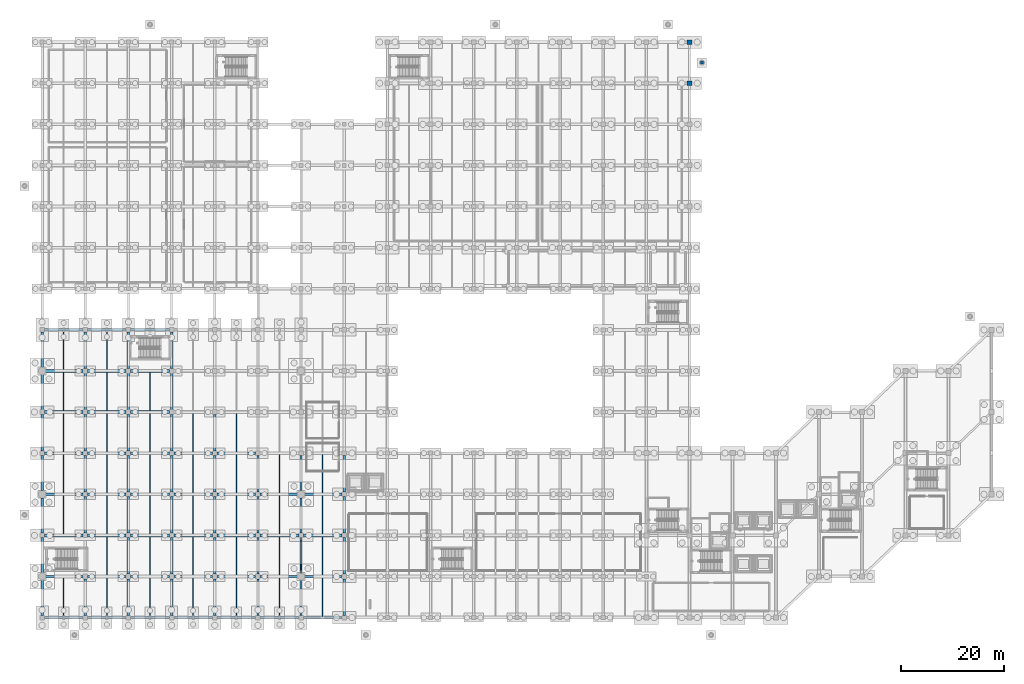
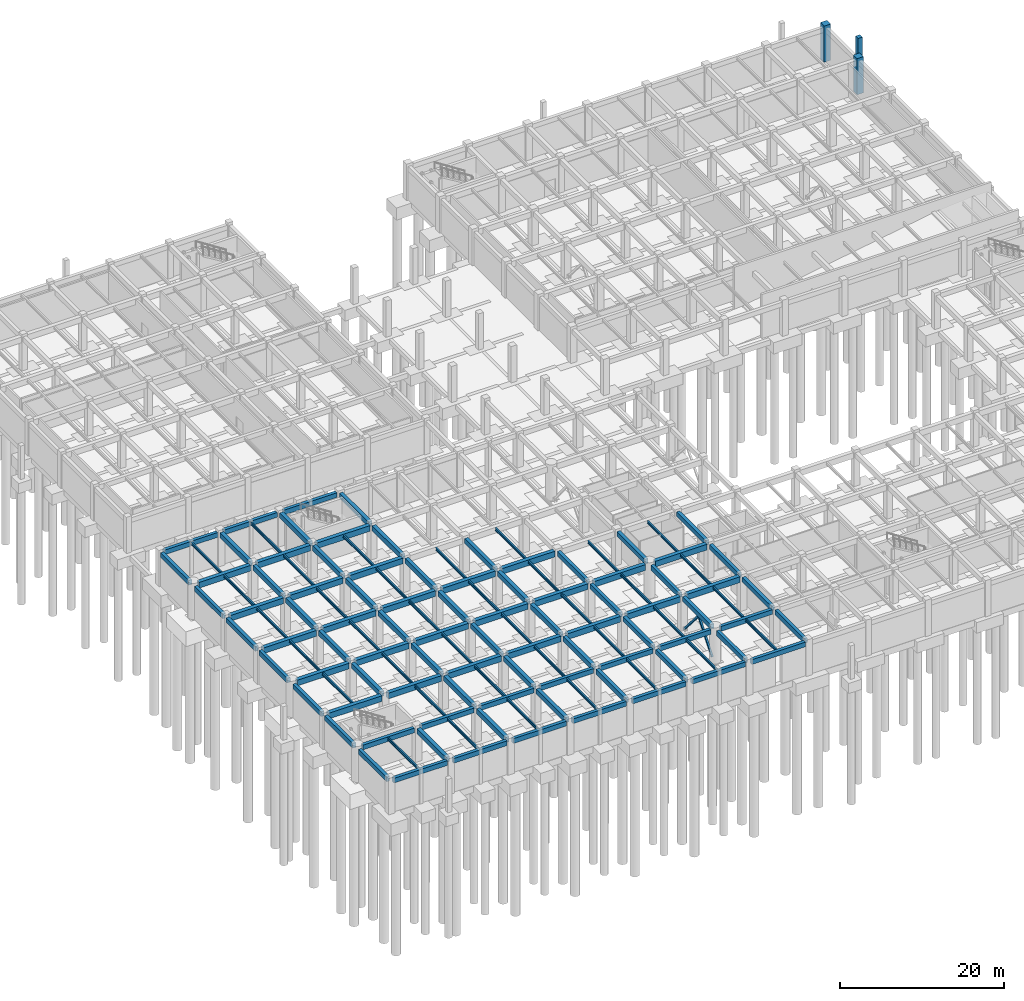
# One storey, part 30 of 56: 123 beams, 3 columns, 2 members.
"""IFC4 building model written with IfcOpenShell, lengths in metres."""

from ifc_helpers import new_model, si_unit, direction, frame, origin, origin_2d, place, context, subcontext, project, spatial, rectangle, hollow_rectangle, i_section, extrude, material, material_profile, profile_set, type_object, element, save


model = new_model("IFC4")

# Units and contexts
model_context = context("Model", 3, precision=1e-05, world=origin(), true_north=direction((0.0, 1.0)))
body_context = subcontext(model_context, "Body", "Model", "MODEL_VIEW")
ifc_project = project(units=[si_unit("LENGTHUNIT", "METRE"), si_unit("AREAUNIT", "SQUARE_METRE"), si_unit("VOLUMEUNIT", "CUBIC_METRE"), si_unit("PLANEANGLEUNIT", "RADIAN"), si_unit("MASSUNIT", "GRAM", prefix="KILO")], contexts=[model_context])

# Site, building, storey
site_placement = place(None, origin())
site = spatial("IfcSite", under=ifc_project, at=site_placement, CompositionType="ELEMENT")
building_placement = place(site_placement, origin())
building = spatial("IfcBuilding", under=site, at=building_placement, Name="Naruveol Harbour Congress Hotel", CompositionType="ELEMENT")
storey_placement = place(building_placement, frame((0.0, 0.0, -5.39990234375)))
storey = spatial("IfcBuildingStorey", under=building, at=storey_placement, Name="B01", CompositionType="ELEMENT", Elevation=-5.39990234375)

# Columns
ifc_material_1 = material(Name="Concrete C50/60", Category="concrete")
ifc_material_profile_1 = material_profile(ifc_material_1, rectangle(XDim=0.89990234375, YDim=0.89990234375, at=origin_2d()), Name="RC-900x900")
ifc_profile_set_1 = profile_set([ifc_material_profile_1], Name="Concrete C50/60")
column_type_1 = type_object("IfcColumnType", Name="RC PRIMARY COLUMN 900X900", PredefinedType="COLUMN", material=ifc_profile_set_1)
for number, where, z_axis, x_axis, name in (
    (1, (126.0, 104.0, 0.0), (0.0, 0.0, 1.0), (1.0, 0.0, 0.0), "Column C-900 B01 (126.0,104.0)"),
    (2, (126.0, 112.0, 0.0), (0.0, 0.0, 1.0), (1.0, 0.0, 0.0), "Column C-900 B01 (126.0,112.0)"),
):
    element("IfcColumn", number, at=place(storey_placement, frame(where, z_axis=z_axis, x_axis=x_axis)), inside=storey, type_object=column_type_1, Name=name, PredefinedType="COLUMN", context=body_context, shape_type="SweptSolid", body=[
        extrude(rectangle(XDim=0.89990234375, YDim=0.89990234375, at=origin_2d()), origin(), (0.0, 0.0, 1.0), 5.39990234375),
    ])
ifc_material_2 = material(Name="Concrete C40/50", Category="concrete")
ifc_material_profile_2 = material_profile(ifc_material_2, rectangle(XDim=0.60009765625, YDim=0.60009765625, at=origin_2d()), Name="RC-600x600")
ifc_profile_set_2 = profile_set([ifc_material_profile_2], Name="Concrete C40/50")
column_type_2 = type_object("IfcColumnType", Name="RC UPPER COLUMN 600X600", PredefinedType="COLUMN", material=ifc_profile_set_2)
column_placement = place(storey_placement, frame((128.39990234375, 108.0, 0.0), z_axis=(0.0, 0.0, 1.0), x_axis=(1.0, 0.0, 0.0)))
element("IfcColumn", 3, at=column_placement, inside=storey, type_object=column_type_2, Name="Column C-600 B01 (128.4,108.0)", PredefinedType="COLUMN", context=body_context, shape_type="SweptSolid", body=[
    extrude(rectangle(XDim=0.60009765625, YDim=0.60009765625, at=origin_2d()), origin(), (0.0, 0.0, 1.0), 5.0),
])

# Beams
ifc_material_3 = material(Name="Concrete C40/50", Category="concrete")
ifc_material_profile_3 = material_profile(ifc_material_3, rectangle(XDim=0.5, YDim=0.75, at=origin_2d()), Name="RCB-500x750")
ifc_profile_set_3 = profile_set([ifc_material_profile_3], Name="Concrete C40/50")
beam_type_1 = type_object("IfcBeamType", Name="RC FLOOR GIRDER 500X750", PredefinedType="BEAM", material=ifc_profile_set_3)
for number, where, z_axis, x_axis, name in (
    (4, (8.39990234375, 0.446044921875, 4.625), (0.0, 1.0, 0.0), (-1.0, 0.0, 0.0), "Transverse girder L00 CB3"),
    (5, (8.39990234375, 16.446044921875, 4.6748046875), (0.0, 1.0, 0.0), (-1.0, 0.0, 0.0), "Transverse girder L00 CB3"),
    (6, (8.39990234375, 24.446044921875, 4.6748046875), (0.0, 1.0, 0.0), (-1.0, 0.0, 0.0), "Transverse girder L00 CB3"),
    (7, (8.39990234375, 32.446044921875, 4.6748046875), (0.0, 1.0, 0.0), (-1.0, 0.0, 0.0), "Transverse girder L00 CB3"),
    (8, (8.39990234375, 40.446044921875, 4.6748046875), (0.0, 1.0, 0.0), (-1.0, 0.0, 0.0), "Transverse girder L00 CB3"),
    (9, (8.39990234375, 48.446044921875, 4.6748046875), (0.0, 1.0, 0.0), (-1.0, 0.0, 0.0), "Transverse girder L00 CB3"),
    (10, (16.800048828125, 0.446044921875, 4.625), (0.0, 1.0, 0.0), (-1.0, 0.0, 0.0), "Transverse girder L00 CB3"),
    (11, (16.800048828125, 8.446044921875, 4.6748046875), (0.0, 1.0, 0.0), (-1.0, 0.0, 0.0), "Transverse girder L00 CB3"),
    (12, (16.800048828125, 16.446044921875, 4.6748046875), (0.0, 1.0, 0.0), (-1.0, 0.0, 0.0), "Transverse girder L00 CB3"),
    (13, (16.800048828125, 24.446044921875, 4.6748046875), (0.0, 1.0, 0.0), (-1.0, 0.0, 0.0), "Transverse girder L00 CB3"),
    (14, (16.800048828125, 32.446044921875, 4.6748046875), (0.0, 1.0, 0.0), (-1.0, 0.0, 0.0), "Transverse girder L00 CB3"),
    (15, (16.800048828125, 40.446044921875, 4.6748046875), (0.0, 1.0, 0.0), (-1.0, 0.0, 0.0), "Transverse girder L00 CB3"),
    (16, (16.800048828125, 48.446044921875, 4.6748046875), (0.0, 1.0, 0.0), (-1.0, 0.0, 0.0), "Transverse girder L00 CB3"),
    (17, (25.199951171875, 0.446044921875, 4.625), (0.0, 1.0, 0.0), (-1.0, 0.0, 0.0), "Transverse girder L00 CB3"),
    (18, (25.199951171875, 8.446044921875, 4.6748046875), (0.0, 1.0, 0.0), (-1.0, 0.0, 0.0), "Transverse girder L00 CB3"),
    (19, (25.199951171875, 16.446044921875, 4.6748046875), (0.0, 1.0, 0.0), (-1.0, 0.0, 0.0), "Transverse girder L00 CB3"),
    (20, (25.199951171875, 24.446044921875, 4.6748046875), (0.0, 1.0, 0.0), (-1.0, 0.0, 0.0), "Transverse girder L00 CB3"),
    (21, (25.199951171875, 32.446044921875, 4.6748046875), (0.0, 1.0, 0.0), (-1.0, 0.0, 0.0), "Transverse girder L00 CB3"),
    (22, (25.199951171875, 40.446044921875, 4.6748046875), (0.0, 1.0, 0.0), (-1.0, 0.0, 0.0), "Transverse girder L00 CB3"),
    (23, (25.199951171875, 48.446044921875, 4.6748046875), (0.0, 1.0, 0.0), (-1.0, 0.0, 0.0), "Transverse girder L00 CB3"),
    (24, (33.60009765625, 0.446044921875, 4.625), (0.0, 1.0, 0.0), (-1.0, 0.0, 0.0), "Transverse girder L00 CB3"),
    (25, (33.60009765625, 8.446044921875, 4.6748046875), (0.0, 1.0, 0.0), (-1.0, 0.0, 0.0), "Transverse girder L00 CB3"),
    (26, (33.60009765625, 16.446044921875, 4.6748046875), (0.0, 1.0, 0.0), (-1.0, 0.0, 0.0), "Transverse girder L00 CB3"),
    (27, (33.60009765625, 24.446044921875, 4.6748046875), (0.0, 1.0, 0.0), (-1.0, 0.0, 0.0), "Transverse girder L00 CB3"),
    (28, (33.60009765625, 32.446044921875, 4.6748046875), (0.0, 1.0, 0.0), (-1.0, 0.0, 0.0), "Transverse girder L00 CB3"),
):
    element("IfcBeam", number, at=place(storey_placement, frame(where, z_axis=z_axis, x_axis=x_axis)), inside=storey, type_object=beam_type_1, Name=name, PredefinedType="BEAM", context=body_context, shape_type="SweptSolid", body=[
        extrude(rectangle(XDim=0.5, YDim=0.75, at=origin_2d()), origin(), (0.0, 0.0, 1.0), 7.10791015625),
    ])
ifc_material_4 = material(Name="Concrete C40/50", Category="concrete")
ifc_material_profile_4 = material_profile(ifc_material_4, rectangle(XDim=0.550048828125, YDim=0.85009765625, at=origin_2d()), Name="RCB-550x850")
ifc_profile_set_4 = profile_set([ifc_material_profile_4], Name="Concrete C40/50")
beam_type_2 = type_object("IfcBeamType", Name="RC PRIMARY GIRDER 550X850", PredefinedType="BEAM", material=ifc_profile_set_4)
for number, where, z_axis, x_axis, name in (
    (29, (0.446044921875, 16.0, 4.574951171875), (1.0, 0.0, 0.0), (0.0, 1.0, 0.0), "Floor girder L00 CB2"),
    (30, (8.845947265625, 16.0, 4.625), (1.0, 0.0, 0.0), (0.0, 1.0, 0.0), "Floor girder L00 CB2"),
):
    element("IfcBeam", number, at=place(storey_placement, frame(where, z_axis=z_axis, x_axis=x_axis)), inside=storey, type_object=beam_type_2, Name=name, PredefinedType="BEAM", context=body_context, shape_type="SweptSolid", body=[
        extrude(rectangle(XDim=0.550048828125, YDim=0.85009765625, at=origin_2d()), origin(), (0.0, 0.0, 1.0), 7.508056640625),
    ])
beam_1_placement = place(storey_placement, frame((17.24609375, 16.0, 4.625), z_axis=(1.0, 0.0, 0.0), x_axis=(0.0, 1.0, 0.0)))
element("IfcBeam", 31, at=beam_1_placement, inside=storey, type_object=beam_type_2, Name="Floor girder L00 CB2", PredefinedType="BEAM", context=body_context, shape_type="SweptSolid", body=[
    extrude(rectangle(XDim=0.550048828125, YDim=0.85009765625, at=origin_2d()), origin(), (0.0, 0.0, 1.0), 7.5078125),
])
for number, where, z_axis, x_axis, name in (
    (32, (25.64599609375, 16.0, 4.625), (1.0, 0.0, 0.0), (0.0, 1.0, 0.0), "Floor girder L00 CB2"),
    (33, (34.0458984375, 16.0, 4.625), (1.0, 0.0, 0.0), (0.0, 1.0, 0.0), "Floor girder L00 CB2"),
    (34, (42.446044921875, 16.0, 4.625), (1.0, 0.0, 0.0), (0.0, 1.0, 0.0), "Floor girder L00 CB2"),
    (35, (50.845947265625, 16.0, 4.625), (1.0, 0.0, 0.0), (0.0, 1.0, 0.0), "Floor girder L00 CB2"),
):
    element("IfcBeam", number, at=place(storey_placement, frame(where, z_axis=z_axis, x_axis=x_axis)), inside=storey, type_object=beam_type_2, Name=name, PredefinedType="BEAM", context=body_context, shape_type="SweptSolid", body=[
        extrude(rectangle(XDim=0.550048828125, YDim=0.85009765625, at=origin_2d()), origin(), (0.0, 0.0, 1.0), 7.508056640625),
    ])
beam_2_placement = place(storey_placement, frame((0.696044921875, 24.0, 4.574951171875), z_axis=(1.0, 0.0, 0.0), x_axis=(0.0, 1.0, 0.0)))
element("IfcBeam", 36, at=beam_2_placement, inside=storey, type_object=beam_type_2, Name="Floor girder L00 CB2", PredefinedType="BEAM", context=body_context, shape_type="SweptSolid", body=[
    extrude(rectangle(XDim=0.550048828125, YDim=0.85009765625, at=origin_2d()), origin(), (0.0, 0.0, 1.0), 7.258056640625),
])
beam_3_placement = place(storey_placement, frame((8.845947265625, 24.0, 4.625), z_axis=(1.0, 0.0, 0.0), x_axis=(0.0, 1.0, 0.0)))
element("IfcBeam", 37, at=beam_3_placement, inside=storey, type_object=beam_type_2, Name="Floor girder L00 CB2", PredefinedType="BEAM", context=body_context, shape_type="SweptSolid", body=[
    extrude(rectangle(XDim=0.550048828125, YDim=0.85009765625, at=origin_2d()), origin(), (0.0, 0.0, 1.0), 7.508056640625),
])
beam_4_placement = place(storey_placement, frame((17.24609375, 24.0, 4.625), z_axis=(1.0, 0.0, 0.0), x_axis=(0.0, 1.0, 0.0)))
element("IfcBeam", 38, at=beam_4_placement, inside=storey, type_object=beam_type_2, Name="Floor girder L00 CB2", PredefinedType="BEAM", context=body_context, shape_type="SweptSolid", body=[
    extrude(rectangle(XDim=0.550048828125, YDim=0.85009765625, at=origin_2d()), origin(), (0.0, 0.0, 1.0), 7.5078125),
])
for number, where, z_axis, x_axis, name in (
    (39, (25.64599609375, 24.0, 4.625), (1.0, 0.0, 0.0), (0.0, 1.0, 0.0), "Floor girder L00 CB2"),
    (40, (34.0458984375, 24.0, 4.625), (1.0, 0.0, 0.0), (0.0, 1.0, 0.0), "Floor girder L00 CB2"),
):
    element("IfcBeam", number, at=place(storey_placement, frame(where, z_axis=z_axis, x_axis=x_axis)), inside=storey, type_object=beam_type_2, Name=name, PredefinedType="BEAM", context=body_context, shape_type="SweptSolid", body=[
        extrude(rectangle(XDim=0.550048828125, YDim=0.85009765625, at=origin_2d()), origin(), (0.0, 0.0, 1.0), 7.508056640625),
    ])
for number, where, z_axis, x_axis, name in (
    (41, (42.446044921875, 24.0, 4.625), (1.0, 0.0, 0.0), (0.0, 1.0, 0.0), "Floor girder L00 CB2"),
    (42, (51.095947265625, 24.0, 4.625), (1.0, 0.0, 0.0), (0.0, 1.0, 0.0), "Floor girder L00 CB2"),
):
    element("IfcBeam", number, at=place(storey_placement, frame(where, z_axis=z_axis, x_axis=x_axis)), inside=storey, type_object=beam_type_2, Name=name, PredefinedType="BEAM", context=body_context, shape_type="SweptSolid", body=[
        extrude(rectangle(XDim=0.550048828125, YDim=0.85009765625, at=origin_2d()), origin(), (0.0, 0.0, 1.0), 7.258056640625),
    ])
for number, where, z_axis, x_axis, name in (
    (43, (0.446044921875, 32.0, 4.574951171875), (1.0, 0.0, 0.0), (0.0, 1.0, 0.0), "Floor girder L00 CB2"),
    (44, (8.845947265625, 32.0, 4.625), (1.0, 0.0, 0.0), (0.0, 1.0, 0.0), "Floor girder L00 CB2"),
):
    element("IfcBeam", number, at=place(storey_placement, frame(where, z_axis=z_axis, x_axis=x_axis)), inside=storey, type_object=beam_type_2, Name=name, PredefinedType="BEAM", context=body_context, shape_type="SweptSolid", body=[
        extrude(rectangle(XDim=0.550048828125, YDim=0.85009765625, at=origin_2d()), origin(), (0.0, 0.0, 1.0), 7.508056640625),
    ])
beam_5_placement = place(storey_placement, frame((17.24609375, 32.0, 4.625), z_axis=(1.0, 0.0, 0.0), x_axis=(0.0, 1.0, 0.0)))
element("IfcBeam", 45, at=beam_5_placement, inside=storey, type_object=beam_type_2, Name="Floor girder L00 CB2", PredefinedType="BEAM", context=body_context, shape_type="SweptSolid", body=[
    extrude(rectangle(XDim=0.550048828125, YDim=0.85009765625, at=origin_2d()), origin(), (0.0, 0.0, 1.0), 7.5078125),
])
for number, where, z_axis, x_axis, name in (
    (46, (25.64599609375, 32.0, 4.625), (1.0, 0.0, 0.0), (0.0, 1.0, 0.0), "Floor girder L00 CB2"),
    (47, (34.0458984375, 32.0, 4.625), (1.0, 0.0, 0.0), (0.0, 1.0, 0.0), "Floor girder L00 CB2"),
    (48, (0.446044921875, 40.0, 4.574951171875), (1.0, 0.0, 0.0), (0.0, 1.0, 0.0), "Floor girder L00 CB2"),
    (49, (8.845947265625, 40.0, 4.625), (1.0, 0.0, 0.0), (0.0, 1.0, 0.0), "Floor girder L00 CB2"),
):
    element("IfcBeam", number, at=place(storey_placement, frame(where, z_axis=z_axis, x_axis=x_axis)), inside=storey, type_object=beam_type_2, Name=name, PredefinedType="BEAM", context=body_context, shape_type="SweptSolid", body=[
        extrude(rectangle(XDim=0.550048828125, YDim=0.85009765625, at=origin_2d()), origin(), (0.0, 0.0, 1.0), 7.508056640625),
    ])
beam_6_placement = place(storey_placement, frame((17.24609375, 40.0, 4.625), z_axis=(1.0, 0.0, 0.0), x_axis=(0.0, 1.0, 0.0)))
element("IfcBeam", 50, at=beam_6_placement, inside=storey, type_object=beam_type_2, Name="Floor girder L00 CB2", PredefinedType="BEAM", context=body_context, shape_type="SweptSolid", body=[
    extrude(rectangle(XDim=0.550048828125, YDim=0.85009765625, at=origin_2d()), origin(), (0.0, 0.0, 1.0), 7.5078125),
])
beam_7_placement = place(storey_placement, frame((0.696044921875, 48.0, 4.574951171875), z_axis=(1.0, 0.0, 0.0), x_axis=(0.0, 1.0, 0.0)))
element("IfcBeam", 51, at=beam_7_placement, inside=storey, type_object=beam_type_2, Name="Floor girder L00 CB2", PredefinedType="BEAM", context=body_context, shape_type="SweptSolid", body=[
    extrude(rectangle(XDim=0.550048828125, YDim=0.85009765625, at=origin_2d()), origin(), (0.0, 0.0, 1.0), 7.258056640625),
])
beam_8_placement = place(storey_placement, frame((8.845947265625, 48.0, 4.625), z_axis=(1.0, 0.0, 0.0), x_axis=(0.0, 1.0, 0.0)))
element("IfcBeam", 52, at=beam_8_placement, inside=storey, type_object=beam_type_2, Name="Floor girder L00 CB2", PredefinedType="BEAM", context=body_context, shape_type="SweptSolid", body=[
    extrude(rectangle(XDim=0.550048828125, YDim=0.85009765625, at=origin_2d()), origin(), (0.0, 0.0, 1.0), 7.508056640625),
])
beam_9_placement = place(storey_placement, frame((17.24609375, 48.0, 4.625), z_axis=(1.0, 0.0, 0.0), x_axis=(0.0, 1.0, 0.0)))
element("IfcBeam", 53, at=beam_9_placement, inside=storey, type_object=beam_type_2, Name="Floor girder L00 CB2", PredefinedType="BEAM", context=body_context, shape_type="SweptSolid", body=[
    extrude(rectangle(XDim=0.550048828125, YDim=0.85009765625, at=origin_2d()), origin(), (0.0, 0.0, 1.0), 7.5078125),
])
ifc_material_5 = material(Name="Concrete C40/50", Category="concrete")
ifc_material_profile_5 = material_profile(ifc_material_5, rectangle(XDim=0.449951171875, YDim=0.699951171875, at=origin_2d()), Name="RCB-450x700")
ifc_profile_set_5 = profile_set([ifc_material_profile_5], Name="Concrete C40/50")
beam_type_3 = type_object("IfcBeamType", Name="RC SPANDREL BEAM 450X700", PredefinedType="SPANDREL", material=ifc_profile_set_5)
for number, where, z_axis, x_axis, name in (
    (54, (0.446044921875, 0.0, 4.64990234375), (1.0, 0.0, 0.0), (0.0, 1.0, 0.0), "Floor girder L00 SPB1"),
    (55, (8.845947265625, 0.0, 4.64990234375), (1.0, 0.0, 0.0), (0.0, 1.0, 0.0), "Floor girder L00 SPB1"),
):
    element("IfcBeam", number, at=place(storey_placement, frame(where, z_axis=z_axis, x_axis=x_axis)), inside=storey, type_object=beam_type_3, Name=name, PredefinedType="SPANDREL", context=body_context, shape_type="SweptSolid", body=[
        extrude(rectangle(XDim=0.449951171875, YDim=0.699951171875, at=origin_2d()), origin(), (0.0, 0.0, 1.0), 7.508056640625),
    ])
beam_10_placement = place(storey_placement, frame((17.24609375, 0.0, 4.64990234375), z_axis=(1.0, 0.0, 0.0), x_axis=(0.0, 1.0, 0.0)))
element("IfcBeam", 56, at=beam_10_placement, inside=storey, type_object=beam_type_3, Name="Floor girder L00 SPB1", PredefinedType="SPANDREL", context=body_context, shape_type="SweptSolid", body=[
    extrude(rectangle(XDim=0.449951171875, YDim=0.699951171875, at=origin_2d()), origin(), (0.0, 0.0, 1.0), 7.5078125),
])
for number, where, z_axis, x_axis, name in (
    (57, (25.64599609375, 0.0, 4.64990234375), (1.0, 0.0, 0.0), (0.0, 1.0, 0.0), "Floor girder L00 SPB1"),
    (58, (34.0458984375, 0.0, 4.64990234375), (1.0, 0.0, 0.0), (0.0, 1.0, 0.0), "Floor girder L00 SPB1"),
    (59, (42.446044921875, 0.0, 4.64990234375), (1.0, 0.0, 0.0), (0.0, 1.0, 0.0), "Floor girder L00 SPB1"),
    (60, (50.845947265625, 0.0, 4.64990234375), (1.0, 0.0, 0.0), (0.0, 1.0, 0.0), "Floor girder L00 SPB1"),
):
    element("IfcBeam", number, at=place(storey_placement, frame(where, z_axis=z_axis, x_axis=x_axis)), inside=storey, type_object=beam_type_3, Name=name, PredefinedType="SPANDREL", context=body_context, shape_type="SweptSolid", body=[
        extrude(rectangle(XDim=0.449951171875, YDim=0.699951171875, at=origin_2d()), origin(), (0.0, 0.0, 1.0), 7.508056640625),
    ])
beam_11_placement = place(storey_placement, frame((0.696044921875, 8.0, 4.64990234375), z_axis=(1.0, 0.0, 0.0), x_axis=(0.0, 1.0, 0.0)))
element("IfcBeam", 61, at=beam_11_placement, inside=storey, type_object=beam_type_3, Name="Floor girder L00 SPB1", PredefinedType="SPANDREL", context=body_context, shape_type="SweptSolid", body=[
    extrude(rectangle(XDim=0.449951171875, YDim=0.699951171875, at=origin_2d()), origin(), (0.0, 0.0, 1.0), 7.258056640625),
])
beam_12_placement = place(storey_placement, frame((8.845947265625, 8.0, 4.699951171875), z_axis=(1.0, 0.0, 0.0), x_axis=(0.0, 1.0, 0.0)))
element("IfcBeam", 62, at=beam_12_placement, inside=storey, type_object=beam_type_3, Name="Floor girder L00 SPB1", PredefinedType="SPANDREL", context=body_context, shape_type="SweptSolid", body=[
    extrude(rectangle(XDim=0.449951171875, YDim=0.699951171875, at=origin_2d()), origin(), (0.0, 0.0, 1.0), 7.508056640625),
])
beam_13_placement = place(storey_placement, frame((17.24609375, 8.0, 4.699951171875), z_axis=(1.0, 0.0, 0.0), x_axis=(0.0, 1.0, 0.0)))
element("IfcBeam", 63, at=beam_13_placement, inside=storey, type_object=beam_type_3, Name="Floor girder L00 SPB1", PredefinedType="SPANDREL", context=body_context, shape_type="SweptSolid", body=[
    extrude(rectangle(XDim=0.449951171875, YDim=0.699951171875, at=origin_2d()), origin(), (0.0, 0.0, 1.0), 7.5078125),
])
for number, where, z_axis, x_axis, name in (
    (64, (25.64599609375, 8.0, 4.699951171875), (1.0, 0.0, 0.0), (0.0, 1.0, 0.0), "Floor girder L00 SPB1"),
    (65, (34.0458984375, 8.0, 4.699951171875), (1.0, 0.0, 0.0), (0.0, 1.0, 0.0), "Floor girder L00 SPB1"),
):
    element("IfcBeam", number, at=place(storey_placement, frame(where, z_axis=z_axis, x_axis=x_axis)), inside=storey, type_object=beam_type_3, Name=name, PredefinedType="SPANDREL", context=body_context, shape_type="SweptSolid", body=[
        extrude(rectangle(XDim=0.449951171875, YDim=0.699951171875, at=origin_2d()), origin(), (0.0, 0.0, 1.0), 7.508056640625),
    ])
for number, where, z_axis, x_axis, name in (
    (66, (42.446044921875, 8.0, 4.699951171875), (1.0, 0.0, 0.0), (0.0, 1.0, 0.0), "Floor girder L00 SPB1"),
    (67, (51.095947265625, 8.0, 4.64990234375), (1.0, 0.0, 0.0), (0.0, 1.0, 0.0), "Floor girder L00 SPB1"),
):
    element("IfcBeam", number, at=place(storey_placement, frame(where, z_axis=z_axis, x_axis=x_axis)), inside=storey, type_object=beam_type_3, Name=name, PredefinedType="SPANDREL", context=body_context, shape_type="SweptSolid", body=[
        extrude(rectangle(XDim=0.449951171875, YDim=0.699951171875, at=origin_2d()), origin(), (0.0, 0.0, 1.0), 7.258056640625),
    ])
for number, where, z_axis, x_axis, name in (
    (68, (0.446044921875, 56.0, 4.64990234375), (1.0, 0.0, 0.0), (0.0, 1.0, 0.0), "Floor girder L00 SPB1"),
    (69, (8.845947265625, 56.0, 4.699951171875), (1.0, 0.0, 0.0), (0.0, 1.0, 0.0), "Floor girder L00 SPB1"),
):
    element("IfcBeam", number, at=place(storey_placement, frame(where, z_axis=z_axis, x_axis=x_axis)), inside=storey, type_object=beam_type_3, Name=name, PredefinedType="SPANDREL", context=body_context, shape_type="SweptSolid", body=[
        extrude(rectangle(XDim=0.449951171875, YDim=0.699951171875, at=origin_2d()), origin(), (0.0, 0.0, 1.0), 7.508056640625),
    ])
beam_14_placement = place(storey_placement, frame((17.24609375, 56.0, 4.699951171875), z_axis=(1.0, 0.0, 0.0), x_axis=(0.0, 1.0, 0.0)))
element("IfcBeam", 70, at=beam_14_placement, inside=storey, type_object=beam_type_3, Name="Floor girder L00 SPB1", PredefinedType="SPANDREL", context=body_context, shape_type="SweptSolid", body=[
    extrude(rectangle(XDim=0.449951171875, YDim=0.699951171875, at=origin_2d()), origin(), (0.0, 0.0, 1.0), 7.5078125),
])
for number, where, z_axis, x_axis, name in (
    (71, (0.0, 0.446044921875, 4.64990234375), (0.0, 1.0, 0.0), (-1.0, 0.0, 0.0), "Transverse girder L00 SPB1"),
    (72, (0.0, 8.696044921875, 4.64990234375), (0.0, 1.0, 0.0), (-1.0, 0.0, 0.0), "Transverse girder L00 SPB1"),
    (73, (0.0, 16.446044921875, 4.64990234375), (0.0, 1.0, 0.0), (-1.0, 0.0, 0.0), "Transverse girder L00 SPB1"),
    (74, (0.0, 24.696044921875, 4.64990234375), (0.0, 1.0, 0.0), (-1.0, 0.0, 0.0), "Transverse girder L00 SPB1"),
):
    element("IfcBeam", number, at=place(storey_placement, frame(where, z_axis=z_axis, x_axis=x_axis)), inside=storey, type_object=beam_type_3, Name=name, PredefinedType="SPANDREL", context=body_context, shape_type="SweptSolid", body=[
        extrude(rectangle(XDim=0.449951171875, YDim=0.699951171875, at=origin_2d()), origin(), (0.0, 0.0, 1.0), 6.85791015625),
    ])
beam_15_placement = place(storey_placement, frame((0.0, 32.446044921875, 4.64990234375), z_axis=(0.0, 1.0, 0.0), x_axis=(-1.0, 0.0, 0.0)))
element("IfcBeam", 75, at=beam_15_placement, inside=storey, type_object=beam_type_3, Name="Transverse girder L00 SPB1", PredefinedType="SPANDREL", context=body_context, shape_type="SweptSolid", body=[
    extrude(rectangle(XDim=0.449951171875, YDim=0.699951171875, at=origin_2d()), origin(), (0.0, 0.0, 1.0), 7.10791015625),
])
for number, where, z_axis, x_axis, name in (
    (76, (0.0, 40.446044921875, 4.64990234375), (0.0, 1.0, 0.0), (-1.0, 0.0, 0.0), "Transverse girder L00 SPB1"),
    (77, (0.0, 48.696044921875, 4.64990234375), (0.0, 1.0, 0.0), (-1.0, 0.0, 0.0), "Transverse girder L00 SPB1"),
):
    element("IfcBeam", number, at=place(storey_placement, frame(where, z_axis=z_axis, x_axis=x_axis)), inside=storey, type_object=beam_type_3, Name=name, PredefinedType="SPANDREL", context=body_context, shape_type="SweptSolid", body=[
        extrude(rectangle(XDim=0.449951171875, YDim=0.699951171875, at=origin_2d()), origin(), (0.0, 0.0, 1.0), 6.85791015625),
    ])
for number, where, z_axis, x_axis, name in (
    (78, (42.0, 0.446044921875, 4.64990234375), (0.0, 1.0, 0.0), (-1.0, 0.0, 0.0), "Transverse girder L00 SPB1"),
    (79, (42.0, 8.446044921875, 4.699951171875), (0.0, 1.0, 0.0), (-1.0, 0.0, 0.0), "Transverse girder L00 SPB1"),
    (80, (42.0, 16.446044921875, 4.699951171875), (0.0, 1.0, 0.0), (-1.0, 0.0, 0.0), "Transverse girder L00 SPB1"),
    (81, (42.0, 24.446044921875, 4.699951171875), (0.0, 1.0, 0.0), (-1.0, 0.0, 0.0), "Transverse girder L00 SPB1"),
):
    element("IfcBeam", number, at=place(storey_placement, frame(where, z_axis=z_axis, x_axis=x_axis)), inside=storey, type_object=beam_type_3, Name=name, PredefinedType="SPANDREL", context=body_context, shape_type="SweptSolid", body=[
        extrude(rectangle(XDim=0.449951171875, YDim=0.699951171875, at=origin_2d()), origin(), (0.0, 0.0, 1.0), 7.10791015625),
    ])
for number, where, z_axis, x_axis, name in (
    (82, (50.39990234375, 0.446044921875, 4.64990234375), (0.0, 1.0, 0.0), (-1.0, 0.0, 0.0), "Transverse girder L00 SPB1"),
    (83, (50.39990234375, 8.696044921875, 4.699951171875), (0.0, 1.0, 0.0), (-1.0, 0.0, 0.0), "Transverse girder L00 SPB1"),
    (84, (50.39990234375, 16.446044921875, 4.699951171875), (0.0, 1.0, 0.0), (-1.0, 0.0, 0.0), "Transverse girder L00 SPB1"),
    (85, (50.39990234375, 24.696044921875, 4.699951171875), (0.0, 1.0, 0.0), (-1.0, 0.0, 0.0), "Transverse girder L00 SPB1"),
):
    element("IfcBeam", number, at=place(storey_placement, frame(where, z_axis=z_axis, x_axis=x_axis)), inside=storey, type_object=beam_type_3, Name=name, PredefinedType="SPANDREL", context=body_context, shape_type="SweptSolid", body=[
        extrude(rectangle(XDim=0.449951171875, YDim=0.699951171875, at=origin_2d()), origin(), (0.0, 0.0, 1.0), 6.85791015625),
    ])
for number, where, z_axis, x_axis, name in (
    (86, (58.800048828125, 0.446044921875, 4.64990234375), (0.0, 1.0, 0.0), (-1.0, 0.0, 0.0), "Transverse girder L00 SPB1"),
    (87, (58.800048828125, 8.446044921875, 4.64990234375), (0.0, 1.0, 0.0), (-1.0, 0.0, 0.0), "Transverse girder L00 SPB1"),
    (88, (58.800048828125, 16.446044921875, 4.699951171875), (0.0, 1.0, 0.0), (-1.0, 0.0, 0.0), "Transverse girder L00 SPB1"),
    (89, (58.800048828125, 24.446044921875, 4.699951171875), (0.0, 1.0, 0.0), (-1.0, 0.0, 0.0), "Transverse girder L00 SPB1"),
):
    element("IfcBeam", number, at=place(storey_placement, frame(where, z_axis=z_axis, x_axis=x_axis)), inside=storey, type_object=beam_type_3, Name=name, PredefinedType="SPANDREL", context=body_context, shape_type="SweptSolid", body=[
        extrude(rectangle(XDim=0.449951171875, YDim=0.699951171875, at=origin_2d()), origin(), (0.0, 0.0, 1.0), 7.10791015625),
    ])

# Members
ifc_material_6 = material(Name="Steel SN490", Category="steel")
ifc_material_profile_6 = material_profile(ifc_material_6, hollow_rectangle(XDim=0.25, YDim=0.25, WallThickness=0.011962890625, at=origin_2d()), Name="SHS-250x250x12")
ifc_profile_set_6 = profile_set([ifc_material_profile_6], Name="Steel SN490")
member_type = type_object("IfcMemberType", Name="STEEL LATERAL FRAME BRACE SHS250", PredefinedType="BRACE", material=ifc_profile_set_6)
member_1_placement = place(storey_placement, frame((50.39990234375, 8.68994140625, 0.159912109375), z_axis=(0.0, 0.624481575403, 0.781039539321), x_axis=(-1.0, 0.0, 0.0)))
element("IfcMember", 90, at=member_1_placement, inside=storey, type_object=member_type, Name="Lateral chevron brace B01 #1A", PredefinedType="BRACE", context=body_context, shape_type="SweptSolid", body=[
    extrude(hollow_rectangle(XDim=0.25, YDim=0.25, WallThickness=0.011962890625, at=origin_2d()), origin(), (0.0, 0.0, 1.0), 5.300537109375),
])
member_2_placement = place(storey_placement, frame((50.39990234375, 15.56005859375, 0.159912109375), z_axis=(0.0, -0.652013051017, 0.75820774284), x_axis=(1.0, 0.0, 0.0)))
element("IfcMember", 91, at=member_2_placement, inside=storey, type_object=member_type, Name="Lateral chevron brace B01 #1B", PredefinedType="BRACE", context=body_context, shape_type="SweptSolid", body=[
    extrude(hollow_rectangle(XDim=0.25, YDim=0.25, WallThickness=0.011962890625, at=origin_2d()), origin(), (0.0, 0.0, 1.0), 5.460205078125),
])

# Beams
ifc_material_7 = material(Name="Steel SN490", Category="steel")
ifc_material_profile_7 = material_profile(ifc_material_7, i_section(OverallWidth=0.199951171875, OverallDepth=0.39990234375, WebThickness=0.008056640625, FlangeThickness=0.012939453125, at=origin_2d()), Name="H-400x200x8x13")
ifc_profile_set_7 = profile_set([ifc_material_profile_7], Name="Steel SN490")
beam_type_4 = type_object("IfcBeamType", Name="STEEL SECONDARY JOIST H400", PredefinedType="JOIST", material=ifc_profile_set_7)
for number, where, z_axis, x_axis, name in (
    (92, (4.199951171875, 0.220947265625, 4.7998046875), (0.0, 1.0, 0.0), (-1.0, 0.0, 0.0), "Secondary floor joist L00 SJ1"),
    (93, (12.60009765625, 0.220947265625, 4.7998046875), (0.0, 1.0, 0.0), (-1.0, 0.0, 0.0), "Secondary floor joist L00 SJ1"),
    (94, (21.0, 0.220947265625, 4.7998046875), (0.0, 1.0, 0.0), (-1.0, 0.0, 0.0), "Secondary floor joist L00 SJ1"),
    (95, (29.39990234375, 0.220947265625, 4.7998046875), (0.0, 1.0, 0.0), (-1.0, 0.0, 0.0), "Secondary floor joist L00 SJ1"),
    (96, (37.800048828125, 0.220947265625, 4.7998046875), (0.0, 1.0, 0.0), (-1.0, 0.0, 0.0), "Secondary floor joist L00 SJ1"),
    (97, (46.199951171875, 0.220947265625, 4.7998046875), (0.0, 1.0, 0.0), (-1.0, 0.0, 0.0), "Secondary floor joist L00 SJ1"),
    (98, (54.60009765625, 0.220947265625, 4.7998046875), (0.0, 1.0, 0.0), (-1.0, 0.0, 0.0), "Secondary floor joist L00 SJ1"),
):
    element("IfcBeam", number, at=place(storey_placement, frame(where, z_axis=z_axis, x_axis=x_axis)), inside=storey, type_object=beam_type_4, Name=name, PredefinedType="JOIST", context=body_context, shape_type="SweptSolid", body=[
        extrude(i_section(OverallWidth=0.199951171875, OverallDepth=0.39990234375, WebThickness=0.008056640625, FlangeThickness=0.012939453125, at=origin_2d()), origin(), (0.0, 0.0, 1.0), 7.55810546875),
    ])
for number, where, z_axis, x_axis, name in (
    (99, (12.60009765625, 8.220947265625, 4.849853515625), (0.0, 1.0, 0.0), (-1.0, 0.0, 0.0), "Secondary floor joist L00 SJ1"),
    (100, (21.0, 8.220947265625, 4.849853515625), (0.0, 1.0, 0.0), (-1.0, 0.0, 0.0), "Secondary floor joist L00 SJ1"),
    (101, (29.39990234375, 8.220947265625, 4.849853515625), (0.0, 1.0, 0.0), (-1.0, 0.0, 0.0), "Secondary floor joist L00 SJ1"),
    (102, (37.800048828125, 8.220947265625, 4.849853515625), (0.0, 1.0, 0.0), (-1.0, 0.0, 0.0), "Secondary floor joist L00 SJ1"),
    (103, (46.199951171875, 8.220947265625, 4.849853515625), (0.0, 1.0, 0.0), (-1.0, 0.0, 0.0), "Secondary floor joist L00 SJ1"),
    (104, (54.60009765625, 8.220947265625, 4.7998046875), (0.0, 1.0, 0.0), (-1.0, 0.0, 0.0), "Secondary floor joist L00 SJ1"),
):
    element("IfcBeam", number, at=place(storey_placement, frame(where, z_axis=z_axis, x_axis=x_axis)), inside=storey, type_object=beam_type_4, Name=name, PredefinedType="JOIST", context=body_context, shape_type="SweptSolid", body=[
        extrude(i_section(OverallWidth=0.199951171875, OverallDepth=0.39990234375, WebThickness=0.008056640625, FlangeThickness=0.012939453125, at=origin_2d()), origin(), (0.0, 0.0, 1.0), 7.508056640625),
    ])
for number, where, z_axis, x_axis, name in (
    (105, (4.199951171875, 16.27099609375, 4.7998046875), (0.0, 1.0, 0.0), (-1.0, 0.0, 0.0), "Secondary floor joist L00 SJ1"),
    (106, (12.60009765625, 16.27099609375, 4.849853515625), (0.0, 1.0, 0.0), (-1.0, 0.0, 0.0), "Secondary floor joist L00 SJ1"),
    (107, (21.0, 16.27099609375, 4.849853515625), (0.0, 1.0, 0.0), (-1.0, 0.0, 0.0), "Secondary floor joist L00 SJ1"),
    (108, (29.39990234375, 16.27099609375, 4.849853515625), (0.0, 1.0, 0.0), (-1.0, 0.0, 0.0), "Secondary floor joist L00 SJ1"),
    (109, (37.800048828125, 16.27099609375, 4.849853515625), (0.0, 1.0, 0.0), (-1.0, 0.0, 0.0), "Secondary floor joist L00 SJ1"),
    (110, (46.199951171875, 16.27099609375, 4.849853515625), (0.0, 1.0, 0.0), (-1.0, 0.0, 0.0), "Secondary floor joist L00 SJ1"),
    (111, (54.60009765625, 16.27099609375, 4.849853515625), (0.0, 1.0, 0.0), (-1.0, 0.0, 0.0), "Secondary floor joist L00 SJ1"),
    (112, (4.199951171875, 24.27099609375, 4.7998046875), (0.0, 1.0, 0.0), (-1.0, 0.0, 0.0), "Secondary floor joist L00 SJ1"),
    (113, (12.60009765625, 24.27099609375, 4.849853515625), (0.0, 1.0, 0.0), (-1.0, 0.0, 0.0), "Secondary floor joist L00 SJ1"),
    (114, (21.0, 24.27099609375, 4.849853515625), (0.0, 1.0, 0.0), (-1.0, 0.0, 0.0), "Secondary floor joist L00 SJ1"),
    (115, (29.39990234375, 24.27099609375, 4.849853515625), (0.0, 1.0, 0.0), (-1.0, 0.0, 0.0), "Secondary floor joist L00 SJ1"),
    (116, (37.800048828125, 24.27099609375, 4.849853515625), (0.0, 1.0, 0.0), (-1.0, 0.0, 0.0), "Secondary floor joist L00 SJ1"),
    (117, (46.199951171875, 24.27099609375, 4.849853515625), (0.0, 1.0, 0.0), (-1.0, 0.0, 0.0), "Secondary floor joist L00 SJ1"),
    (118, (54.60009765625, 24.27099609375, 4.849853515625), (0.0, 1.0, 0.0), (-1.0, 0.0, 0.0), "Secondary floor joist L00 SJ1"),
    (119, (4.199951171875, 32.27099609375, 4.7998046875), (0.0, 1.0, 0.0), (-1.0, 0.0, 0.0), "Secondary floor joist L00 SJ1"),
    (120, (12.60009765625, 32.27099609375, 4.849853515625), (0.0, 1.0, 0.0), (-1.0, 0.0, 0.0), "Secondary floor joist L00 SJ1"),
    (121, (21.0, 32.27099609375, 4.849853515625), (0.0, 1.0, 0.0), (-1.0, 0.0, 0.0), "Secondary floor joist L00 SJ1"),
    (122, (29.39990234375, 32.27099609375, 4.849853515625), (0.0, 1.0, 0.0), (-1.0, 0.0, 0.0), "Secondary floor joist L00 SJ1"),
    (123, (37.800048828125, 32.27099609375, 4.849853515625), (0.0, 1.0, 0.0), (-1.0, 0.0, 0.0), "Secondary floor joist L00 SJ1"),
    (124, (4.199951171875, 40.27099609375, 4.7998046875), (0.0, 1.0, 0.0), (-1.0, 0.0, 0.0), "Secondary floor joist L00 SJ1"),
    (125, (12.60009765625, 40.27099609375, 4.849853515625), (0.0, 1.0, 0.0), (-1.0, 0.0, 0.0), "Secondary floor joist L00 SJ1"),
    (126, (21.0, 40.27099609375, 4.849853515625), (0.0, 1.0, 0.0), (-1.0, 0.0, 0.0), "Secondary floor joist L00 SJ1"),
):
    element("IfcBeam", number, at=place(storey_placement, frame(where, z_axis=z_axis, x_axis=x_axis)), inside=storey, type_object=beam_type_4, Name=name, PredefinedType="JOIST", context=body_context, shape_type="SweptSolid", body=[
        extrude(i_section(OverallWidth=0.199951171875, OverallDepth=0.39990234375, WebThickness=0.008056640625, FlangeThickness=0.012939453125, at=origin_2d()), origin(), (0.0, 0.0, 1.0), 7.4580078125),
    ])
for number, where, z_axis, x_axis, name in (
    (127, (4.199951171875, 48.27099609375, 4.7998046875), (0.0, 1.0, 0.0), (-1.0, 0.0, 0.0), "Secondary floor joist L00 SJ1"),
    (128, (12.60009765625, 48.27099609375, 4.849853515625), (0.0, 1.0, 0.0), (-1.0, 0.0, 0.0), "Secondary floor joist L00 SJ1"),
):
    element("IfcBeam", number, at=place(storey_placement, frame(where, z_axis=z_axis, x_axis=x_axis)), inside=storey, type_object=beam_type_4, Name=name, PredefinedType="JOIST", context=body_context, shape_type="SweptSolid", body=[
        extrude(i_section(OverallWidth=0.199951171875, OverallDepth=0.39990234375, WebThickness=0.008056640625, FlangeThickness=0.012939453125, at=origin_2d()), origin(), (0.0, 0.0, 1.0), 7.508056640625),
    ])

save(model, "model.ifc")
